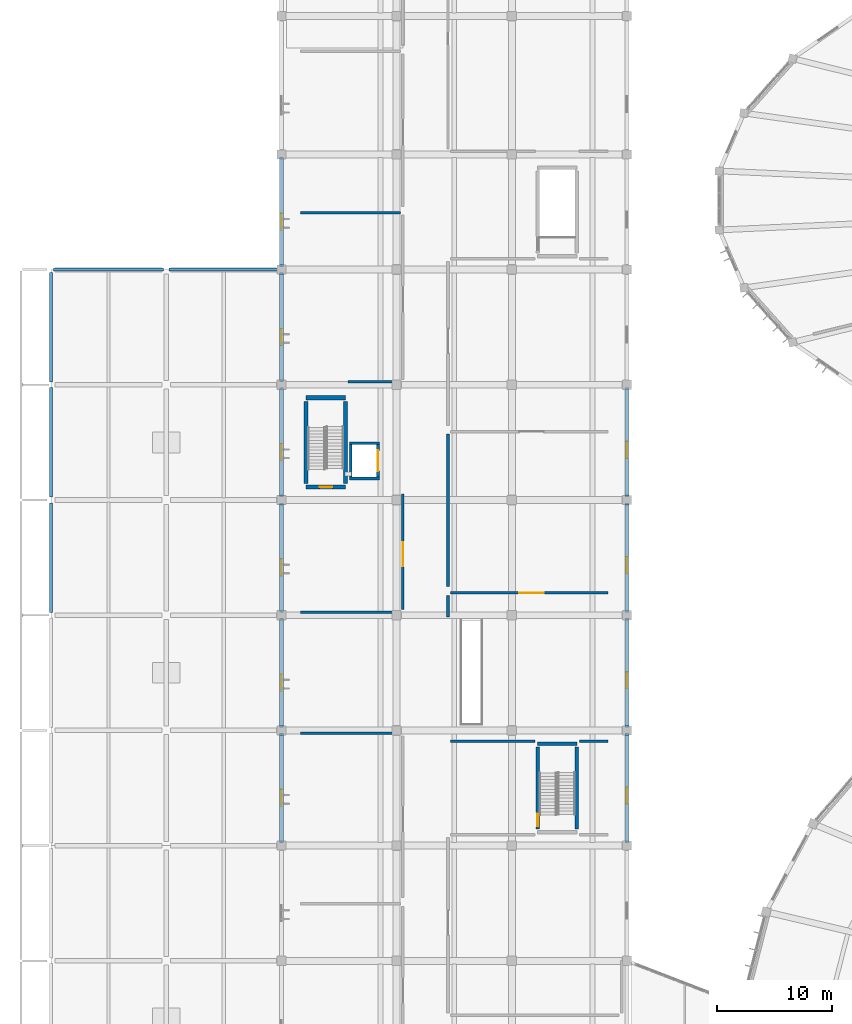
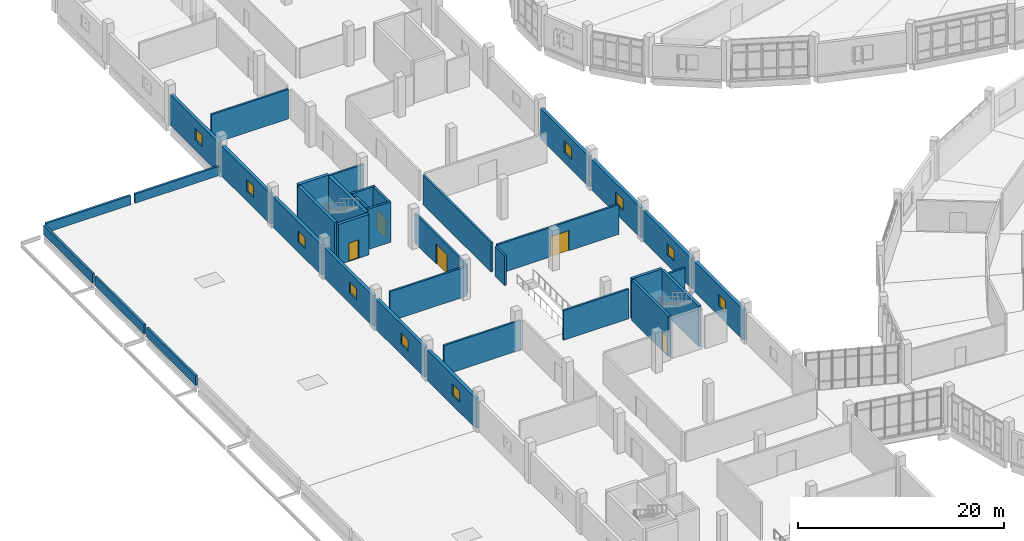
# One storey, part 118 of 179: 36 walls, 10 windows, 5 doors, 15 openings.
"""IFC4 building model written with IfcOpenShell, lengths in metres."""

from ifc_helpers import new_model, si_unit, direction, frame, frame_2d, origin, place, context, subcontext, project, spatial, rectangle, extrude, material, layer, layer_set, type_object, element, fill, save


model = new_model("IFC4")

# Units and contexts
model_context = context("Model", 3, precision=1e-05, world=origin(), true_north=direction((0.0, 1.0)))
body_context = subcontext(model_context, "Body", "Model", "MODEL_VIEW")
ifc_project = project(units=[si_unit("LENGTHUNIT", "METRE"), si_unit("AREAUNIT", "SQUARE_METRE"), si_unit("VOLUMEUNIT", "CUBIC_METRE"), si_unit("PLANEANGLEUNIT", "RADIAN"), si_unit("MASSUNIT", "GRAM", prefix="KILO")], contexts=[model_context])

# Site, building, storey
site_placement = place(None, origin())
site = spatial("IfcSite", under=ifc_project, at=site_placement, CompositionType="ELEMENT")
building_placement = place(site_placement, origin())
building = spatial("IfcBuilding", under=site, at=building_placement, Name="Corvandel Quay Wholesale Market", CompositionType="ELEMENT")
storey_placement = place(building_placement, frame((0.0, 0.0, 6.0)))
storey = spatial("IfcBuildingStorey", under=building, at=storey_placement, Name="L01", CompositionType="ELEMENT", Elevation=6.0)

# Wall, opening, door
ifc_material_1 = material(Name="Concrete C40/50", Category="concrete")
ifc_layer_1 = layer(ifc_material_1, 0.35009765625)
ifc_layer_set_1 = layer_set([ifc_layer_1], Name="Concrete C40/50")
wall_type_1 = type_object("IfcWallType", Name="Core Shear Wall SW01 350", PredefinedType="SHEAR", material=ifc_layer_set_1)
wall_1_placement = place(storey_placement, frame((22.125, 91.125, 0.0), z_axis=(0.0, 0.0, 1.0), x_axis=(1.0, 0.0, 0.0)))
wall_1 = element("IfcWall", 1, at=wall_1_placement, inside=storey, type_object=wall_type_1, Name="Shear Wall IW-0125", PredefinedType="SHEAR", context=body_context, shape_type="SweptSolid", body=[
    extrude(rectangle(XDim=3.449951171875, YDim=0.35009765625, at=frame_2d((1.72509765625, 0.0))), origin(), (0.0, 0.0, 1.0), 4.800048828125),
])
opening_1_placement = place(wall_1_placement, frame((1.199951171875, 0.0, 0.0)))
opening_1 = element("IfcOpeningElement", 2, at=opening_1_placement, cuts=wall_1, Name="Opening L01-D013", PredefinedType="OPENING", context=body_context, shape_type="SweptSolid", body=[
    extrude(rectangle(XDim=1.10009765625, YDim=2.199951171875, at=frame_2d((0.550048828125, 1.10009765625))), frame((0.0, 0.18505859375, 0.0), z_axis=(0.0, -1.0, 0.0), x_axis=(1.0, 0.0, 0.0)), (0.0, 0.0, 1.0), 0.3701171875),
])
ifc_material_2 = material(Name="Galvanised fire-rated hollow steel", Category="steel")
door_type_1 = type_object("IfcDoorType", Name="Exit Stair Fire Door ID02 1100x2200R", OperationType="SINGLE_SWING_RIGHT", PredefinedType="DOOR", material=ifc_material_2)
door_1_placement = place(opening_1_placement, origin())
door_1 = element("IfcDoor", 3, at=door_1_placement, inside=storey, type_object=door_type_1, Name="Exit Stair Door SH12-L01", OperationType="SINGLE_SWING_RIGHT", OverallHeight=2.199951171875, OverallWidth=1.10009765625, PredefinedType="DOOR", context=body_context, shape_type="SweptSolid", body=[
    extrude(rectangle(XDim=1.10009765625, YDim=2.199951171875, at=frame_2d((0.550048828125, 1.10009765625))), frame((0.0, 0.02490234375, 0.0), z_axis=(0.0, -1.0, 0.0), x_axis=(1.0, 0.0, 0.0)), (0.0, 0.0, 1.0), 0.050048828125),
])
fill(opening_1, door_1)

# Walls
wall_2_placement = place(storey_placement, frame((22.125, 98.875, 0.0), z_axis=(0.0, 0.0, 1.0), x_axis=(1.0, 0.0, 0.0)))
element("IfcWall", 4, at=wall_2_placement, inside=storey, type_object=wall_type_1, Name="Shear Wall IW-0126", PredefinedType="SHEAR", context=body_context, shape_type="SweptSolid", body=[
    extrude(rectangle(XDim=3.449951171875, YDim=0.35009765625, at=frame_2d((1.72509765625, 0.0))), origin(), (0.0, 0.0, 1.0), 4.800048828125),
])
for number, where, z_axis, x_axis, name in (
    (5, (22.125, 91.43994140625, 0.0), (0.0, 0.0, 1.0), (0.0, 1.0, 0.0), "Shear Wall IW-0127"),
    (6, (25.574951171875, 91.43994140625, 0.0), (0.0, 0.0, 1.0), (0.0, 1.0, 0.0), "Shear Wall IW-0128"),
):
    element("IfcWall", number, at=place(storey_placement, frame(where, z_axis=z_axis, x_axis=x_axis)), inside=storey, type_object=wall_type_1, Name=name, PredefinedType="SHEAR", context=body_context, shape_type="SweptSolid", body=[
        extrude(rectangle(XDim=7.1201171875, YDim=0.35009765625, at=frame_2d((3.56005859375, 0.0))), origin(), (0.0, 0.0, 1.0), 4.800048828125),
    ])
ifc_layer_2 = layer(ifc_material_1, 0.25)
ifc_layer_set_2 = layer_set([ifc_layer_2], Name="Concrete C40/50")
wall_type_2 = type_object("IfcWallType", Name="Lift Shaft Shear Wall SW03 250", PredefinedType="SHEAR", material=ifc_layer_set_2)
for number, where, z_axis, x_axis, name in (
    (7, (25.89990234375, 91.875, 0.0), (0.0, 0.0, 1.0), (1.0, 0.0, 0.0), "Shear Wall IW-0313"),
    (8, (25.89990234375, 94.925048828125, 0.0), (0.0, 0.0, 1.0), (1.0, 0.0, 0.0), "Shear Wall IW-0314"),
):
    element("IfcWall", number, at=place(storey_placement, frame(where, z_axis=z_axis, x_axis=x_axis)), inside=storey, type_object=wall_type_2, Name=name, PredefinedType="SHEAR", context=body_context, shape_type="SweptSolid", body=[
        extrude(rectangle(XDim=2.60009765625, YDim=0.25, at=frame_2d((1.300048828125, 0.0))), origin(), (0.0, 0.0, 1.0), 4.800048828125),
    ])
wall_3_placement = place(storey_placement, frame((26.02490234375, 91.989990234375, 0.0), z_axis=(0.0, 0.0, 1.0), x_axis=(0.0, 1.0, 0.0)))
element("IfcWall", 9, at=wall_3_placement, inside=storey, type_object=wall_type_2, Name="Shear Wall IW-0315", PredefinedType="SHEAR", context=body_context, shape_type="SweptSolid", body=[
    extrude(rectangle(XDim=2.820068359375, YDim=0.25, at=frame_2d((1.41015625, 0.0))), origin(), (0.0, 0.0, 1.0), 4.800048828125),
])

# Wall, opening, door
wall_4_placement = place(storey_placement, frame((28.375, 91.989990234375, 0.0), z_axis=(0.0, 0.0, 1.0), x_axis=(0.0, 1.0, 0.0)))
wall_4 = element("IfcWall", 10, at=wall_4_placement, inside=storey, type_object=wall_type_2, Name="Shear Wall IW-0316", PredefinedType="SHEAR", context=body_context, shape_type="SweptSolid", body=[
    extrude(rectangle(XDim=2.820068359375, YDim=0.25, at=frame_2d((1.41015625, 0.0))), origin(), (0.0, 0.0, 1.0), 4.800048828125),
])
opening_2_placement = place(wall_4_placement, frame((0.510009765625, 0.0, 0.0)))
opening_2 = element("IfcOpeningElement", 11, at=opening_2_placement, cuts=wall_4, Name="Opening LD-L01-028", PredefinedType="OPENING", context=body_context, shape_type="SweptSolid", body=[
    extrude(rectangle(XDim=1.800048828125, YDim=2.39990234375, at=frame_2d((0.89990234375, 1.199951171875))), frame((0.0, 0.135009765625, 0.0), z_axis=(0.0, -1.0, 0.0), x_axis=(1.0, 0.0, 0.0)), (0.0, 0.0, 1.0), 0.27001953125),
])
ifc_material_3 = material(Name="Heavy-duty brushed stainless steel", Category="steel")
door_type_2 = type_object("IfcDoorType", Name="Goods Lift Landing Door LD02 1800x2400", OperationType="DOUBLE_DOOR_SLIDING", PredefinedType="DOOR", material=ifc_material_3)
door_2_placement = place(opening_2_placement, origin())
door_2 = element("IfcDoor", 12, at=door_2_placement, inside=storey, type_object=door_type_2, Name="Lift Landing Door LF-V4F2-L01", OperationType="DOUBLE_DOOR_SLIDING", OverallHeight=2.39990234375, OverallWidth=1.800048828125, PredefinedType="DOOR", context=body_context, shape_type="SweptSolid", body=[
    extrude(rectangle(XDim=1.800048828125, YDim=2.39990234375, at=frame_2d((0.89990234375, 1.199951171875))), frame((0.0, 0.02490234375, 0.0), z_axis=(0.0, -1.0, 0.0), x_axis=(1.0, 0.0, 0.0)), (0.0, 0.0, 1.0), 0.050048828125),
])
fill(opening_2, door_2)

# Wall, opening, window
ifc_material_4 = material(Name="Insulated precast concrete C45/55", Category="concrete")
ifc_layer_3 = layer(ifc_material_4, 0.360107421875)
ifc_layer_set_3 = layer_set([ifc_layer_3], Name="Insulated precast concrete C45/55")
wall_type_3 = type_object("IfcWallType", Name="Ripening Gas-Tight Envelope Wall EW04 360", PredefinedType="SOLIDWALL", material=ifc_layer_set_3)
wall_5_placement = place(storey_placement, frame((20.0, 60.239990234375, 0.0), z_axis=(0.0, 0.0, 1.0), x_axis=(0.0, 1.0, 0.0)))
wall_5 = element("IfcWall", 13, at=wall_5_placement, inside=storey, type_object=wall_type_3, Name="Exterior Wall EW-0255", PredefinedType="SOLIDWALL", context=body_context, shape_type="SweptSolid", body=[
    extrude(rectangle(XDim=9.52001953125, YDim=0.360107421875, at=frame_2d((4.760009765625, 0.0))), origin(), (0.0, 0.0, 1.0), 3.610107421875),
])
opening_3_placement = place(wall_5_placement, frame((3.199951171875, 0.0, 1.199951171875)))
opening_3 = element("IfcOpeningElement", 14, at=opening_3_placement, cuts=wall_5, Name="Opening L01-W060", PredefinedType="OPENING", context=body_context, shape_type="SweptSolid", body=[
    extrude(rectangle(XDim=1.39990234375, YDim=1.35009765625, at=frame_2d((0.699951171875, 0.675048828125))), frame((0.0, 0.18994140625, 0.0), z_axis=(0.0, -1.0, 0.0), x_axis=(1.0, 0.0, 0.0)), (0.0, 0.0, 1.0), 0.380126953125),
])
ifc_material_5 = material(Name="Thermally broken bronze anodised aluminium and solar-control low-E double glazing", Category="aluminium")
window_type = type_object("IfcWindowType", Name="Ripening Control Vision Window WN15 1400x1350", PartitioningType="SINGLE_PANEL", PredefinedType="WINDOW", material=ifc_material_5)
window_1_placement = place(opening_3_placement, origin())
window_1 = element("IfcWindow", 15, at=window_1_placement, inside=storey, type_object=window_type, Name="Window L01-W060", OverallHeight=1.35009765625, OverallWidth=1.39990234375, PartitioningType="SINGLE_PANEL", PredefinedType="WINDOW", context=body_context, shape_type="SweptSolid", body=[
    extrude(rectangle(XDim=1.39990234375, YDim=1.35009765625, at=frame_2d((0.699951171875, 0.675048828125))), frame((0.0, 0.030029296875, 0.0), z_axis=(0.0, -1.0, 0.0), x_axis=(1.0, 0.0, 0.0)), (0.0, 0.0, 1.0), 0.06005859375),
])
fill(opening_3, window_1)

wall_6_placement = place(storey_placement, frame((50.0, 60.239990234375, 0.0), z_axis=(0.0, 0.0, 1.0), x_axis=(0.0, 1.0, 0.0)))
wall_6 = element("IfcWall", 16, at=wall_6_placement, inside=storey, type_object=wall_type_3, Name="Exterior Wall EW-0259", PredefinedType="SOLIDWALL", context=body_context, shape_type="SweptSolid", body=[
    extrude(rectangle(XDim=9.52001953125, YDim=0.360107421875, at=frame_2d((4.760009765625, 0.0))), origin(), (0.0, 0.0, 1.0), 3.610107421875),
])
opening_4_placement = place(wall_6_placement, frame((3.39990234375, 0.0, 1.199951171875)))
opening_4 = element("IfcOpeningElement", 17, at=opening_4_placement, cuts=wall_6, Name="Opening L01-W061", PredefinedType="OPENING", context=body_context, shape_type="SweptSolid", body=[
    extrude(rectangle(XDim=1.39990234375, YDim=1.35009765625, at=frame_2d((0.699951171875, 0.675048828125))), frame((0.0, 0.18994140625, 0.0), z_axis=(0.0, -1.0, 0.0), x_axis=(1.0, 0.0, 0.0)), (0.0, 0.0, 1.0), 0.380126953125),
])
window_2_placement = place(opening_4_placement, origin())
window_2 = element("IfcWindow", 18, at=window_2_placement, inside=storey, type_object=window_type, Name="Window L01-W061", OverallHeight=1.35009765625, OverallWidth=1.39990234375, PartitioningType="SINGLE_PANEL", PredefinedType="WINDOW", context=body_context, shape_type="SweptSolid", body=[
    extrude(rectangle(XDim=1.39990234375, YDim=1.35009765625, at=frame_2d((0.699951171875, 0.675048828125))), frame((0.0, 0.030029296875, 0.0), z_axis=(0.0, -1.0, 0.0), x_axis=(1.0, 0.0, 0.0)), (0.0, 0.0, 1.0), 0.06005859375),
])
fill(opening_4, window_2)

wall_7_placement = place(storey_placement, frame((20.0, 70.239990234375, 0.0), z_axis=(0.0, 0.0, 1.0), x_axis=(0.0, 1.0, 0.0)))
wall_7 = element("IfcWall", 19, at=wall_7_placement, inside=storey, type_object=wall_type_3, Name="Exterior Wall EW-0262", PredefinedType="SOLIDWALL", context=body_context, shape_type="SweptSolid", body=[
    extrude(rectangle(XDim=9.52001953125, YDim=0.360107421875, at=frame_2d((4.760009765625, 0.0))), origin(), (0.0, 0.0, 1.0), 3.610107421875),
])
opening_5_placement = place(wall_7_placement, frame((3.199951171875, 0.0, 1.199951171875)))
opening_5 = element("IfcOpeningElement", 20, at=opening_5_placement, cuts=wall_7, Name="Opening L01-W062", PredefinedType="OPENING", context=body_context, shape_type="SweptSolid", body=[
    extrude(rectangle(XDim=1.39990234375, YDim=1.35009765625, at=frame_2d((0.699951171875, 0.675048828125))), frame((0.0, 0.18994140625, 0.0), z_axis=(0.0, -1.0, 0.0), x_axis=(1.0, 0.0, 0.0)), (0.0, 0.0, 1.0), 0.380126953125),
])
window_3_placement = place(opening_5_placement, origin())
window_3 = element("IfcWindow", 21, at=window_3_placement, inside=storey, type_object=window_type, Name="Window L01-W062", OverallHeight=1.35009765625, OverallWidth=1.39990234375, PartitioningType="SINGLE_PANEL", PredefinedType="WINDOW", context=body_context, shape_type="SweptSolid", body=[
    extrude(rectangle(XDim=1.39990234375, YDim=1.35009765625, at=frame_2d((0.699951171875, 0.675048828125))), frame((0.0, 0.030029296875, 0.0), z_axis=(0.0, -1.0, 0.0), x_axis=(1.0, 0.0, 0.0)), (0.0, 0.0, 1.0), 0.06005859375),
])
fill(opening_5, window_3)

wall_8_placement = place(storey_placement, frame((50.0, 70.239990234375, 0.0), z_axis=(0.0, 0.0, 1.0), x_axis=(0.0, 1.0, 0.0)))
wall_8 = element("IfcWall", 22, at=wall_8_placement, inside=storey, type_object=wall_type_3, Name="Exterior Wall EW-0266", PredefinedType="SOLIDWALL", context=body_context, shape_type="SweptSolid", body=[
    extrude(rectangle(XDim=9.52001953125, YDim=0.360107421875, at=frame_2d((4.760009765625, 0.0))), origin(), (0.0, 0.0, 1.0), 3.610107421875),
])
opening_6_placement = place(wall_8_placement, frame((3.39990234375, 0.0, 1.199951171875)))
opening_6 = element("IfcOpeningElement", 23, at=opening_6_placement, cuts=wall_8, Name="Opening L01-W063", PredefinedType="OPENING", context=body_context, shape_type="SweptSolid", body=[
    extrude(rectangle(XDim=1.39990234375, YDim=1.35009765625, at=frame_2d((0.699951171875, 0.675048828125))), frame((0.0, 0.18994140625, 0.0), z_axis=(0.0, -1.0, 0.0), x_axis=(1.0, 0.0, 0.0)), (0.0, 0.0, 1.0), 0.380126953125),
])
window_4_placement = place(opening_6_placement, origin())
window_4 = element("IfcWindow", 24, at=window_4_placement, inside=storey, type_object=window_type, Name="Window L01-W063", OverallHeight=1.35009765625, OverallWidth=1.39990234375, PartitioningType="SINGLE_PANEL", PredefinedType="WINDOW", context=body_context, shape_type="SweptSolid", body=[
    extrude(rectangle(XDim=1.39990234375, YDim=1.35009765625, at=frame_2d((0.699951171875, 0.675048828125))), frame((0.0, 0.030029296875, 0.0), z_axis=(0.0, -1.0, 0.0), x_axis=(1.0, 0.0, 0.0)), (0.0, 0.0, 1.0), 0.06005859375),
])
fill(opening_6, window_4)

wall_9_placement = place(storey_placement, frame((20.0, 80.239990234375, 0.0), z_axis=(0.0, 0.0, 1.0), x_axis=(0.0, 1.0, 0.0)))
wall_9 = element("IfcWall", 25, at=wall_9_placement, inside=storey, type_object=wall_type_3, Name="Exterior Wall EW-0269", PredefinedType="SOLIDWALL", context=body_context, shape_type="SweptSolid", body=[
    extrude(rectangle(XDim=9.52001953125, YDim=0.360107421875, at=frame_2d((4.760009765625, 0.0))), origin(), (0.0, 0.0, 1.0), 3.610107421875),
])
opening_7_placement = place(wall_9_placement, frame((3.199951171875, 0.0, 1.199951171875)))
opening_7 = element("IfcOpeningElement", 26, at=opening_7_placement, cuts=wall_9, Name="Opening L01-W064", PredefinedType="OPENING", context=body_context, shape_type="SweptSolid", body=[
    extrude(rectangle(XDim=1.39990234375, YDim=1.35009765625, at=frame_2d((0.699951171875, 0.675048828125))), frame((0.0, 0.18994140625, 0.0), z_axis=(0.0, -1.0, 0.0), x_axis=(1.0, 0.0, 0.0)), (0.0, 0.0, 1.0), 0.380126953125),
])
window_5_placement = place(opening_7_placement, origin())
window_5 = element("IfcWindow", 27, at=window_5_placement, inside=storey, type_object=window_type, Name="Window L01-W064", OverallHeight=1.35009765625, OverallWidth=1.39990234375, PartitioningType="SINGLE_PANEL", PredefinedType="WINDOW", context=body_context, shape_type="SweptSolid", body=[
    extrude(rectangle(XDim=1.39990234375, YDim=1.35009765625, at=frame_2d((0.699951171875, 0.675048828125))), frame((0.0, 0.030029296875, 0.0), z_axis=(0.0, -1.0, 0.0), x_axis=(1.0, 0.0, 0.0)), (0.0, 0.0, 1.0), 0.06005859375),
])
fill(opening_7, window_5)

wall_10_placement = place(storey_placement, frame((50.0, 80.239990234375, 0.0), z_axis=(0.0, 0.0, 1.0), x_axis=(0.0, 1.0, 0.0)))
wall_10 = element("IfcWall", 28, at=wall_10_placement, inside=storey, type_object=wall_type_3, Name="Exterior Wall EW-0273", PredefinedType="SOLIDWALL", context=body_context, shape_type="SweptSolid", body=[
    extrude(rectangle(XDim=9.52001953125, YDim=0.360107421875, at=frame_2d((4.760009765625, 0.0))), origin(), (0.0, 0.0, 1.0), 3.610107421875),
])
opening_8_placement = place(wall_10_placement, frame((3.39990234375, 0.0, 1.199951171875)))
opening_8 = element("IfcOpeningElement", 29, at=opening_8_placement, cuts=wall_10, Name="Opening L01-W065", PredefinedType="OPENING", context=body_context, shape_type="SweptSolid", body=[
    extrude(rectangle(XDim=1.39990234375, YDim=1.35009765625, at=frame_2d((0.699951171875, 0.675048828125))), frame((0.0, 0.18994140625, 0.0), z_axis=(0.0, -1.0, 0.0), x_axis=(1.0, 0.0, 0.0)), (0.0, 0.0, 1.0), 0.380126953125),
])
window_6_placement = place(opening_8_placement, origin())
window_6 = element("IfcWindow", 30, at=window_6_placement, inside=storey, type_object=window_type, Name="Window L01-W065", OverallHeight=1.35009765625, OverallWidth=1.39990234375, PartitioningType="SINGLE_PANEL", PredefinedType="WINDOW", context=body_context, shape_type="SweptSolid", body=[
    extrude(rectangle(XDim=1.39990234375, YDim=1.35009765625, at=frame_2d((0.699951171875, 0.675048828125))), frame((0.0, 0.030029296875, 0.0), z_axis=(0.0, -1.0, 0.0), x_axis=(1.0, 0.0, 0.0)), (0.0, 0.0, 1.0), 0.06005859375),
])
fill(opening_8, window_6)

wall_11_placement = place(storey_placement, frame((20.0, 90.239990234375, 0.0), z_axis=(0.0, 0.0, 1.0), x_axis=(0.0, 1.0, 0.0)))
wall_11 = element("IfcWall", 31, at=wall_11_placement, inside=storey, type_object=wall_type_3, Name="Exterior Wall EW-0276", PredefinedType="SOLIDWALL", context=body_context, shape_type="SweptSolid", body=[
    extrude(rectangle(XDim=9.52001953125, YDim=0.360107421875, at=frame_2d((4.760009765625, 0.0))), origin(), (0.0, 0.0, 1.0), 3.610107421875),
])
opening_9_placement = place(wall_11_placement, frame((3.199951171875, 0.0, 1.199951171875)))
opening_9 = element("IfcOpeningElement", 32, at=opening_9_placement, cuts=wall_11, Name="Opening L01-W066", PredefinedType="OPENING", context=body_context, shape_type="SweptSolid", body=[
    extrude(rectangle(XDim=1.39990234375, YDim=1.35009765625, at=frame_2d((0.699951171875, 0.675048828125))), frame((0.0, 0.18994140625, 0.0), z_axis=(0.0, -1.0, 0.0), x_axis=(1.0, 0.0, 0.0)), (0.0, 0.0, 1.0), 0.380126953125),
])
window_7_placement = place(opening_9_placement, origin())
window_7 = element("IfcWindow", 33, at=window_7_placement, inside=storey, type_object=window_type, Name="Window L01-W066", OverallHeight=1.35009765625, OverallWidth=1.39990234375, PartitioningType="SINGLE_PANEL", PredefinedType="WINDOW", context=body_context, shape_type="SweptSolid", body=[
    extrude(rectangle(XDim=1.39990234375, YDim=1.35009765625, at=frame_2d((0.699951171875, 0.675048828125))), frame((0.0, 0.030029296875, 0.0), z_axis=(0.0, -1.0, 0.0), x_axis=(1.0, 0.0, 0.0)), (0.0, 0.0, 1.0), 0.06005859375),
])
fill(opening_9, window_7)

wall_12_placement = place(storey_placement, frame((50.0, 90.239990234375, 0.0), z_axis=(0.0, 0.0, 1.0), x_axis=(0.0, 1.0, 0.0)))
wall_12 = element("IfcWall", 34, at=wall_12_placement, inside=storey, type_object=wall_type_3, Name="Exterior Wall EW-0280", PredefinedType="SOLIDWALL", context=body_context, shape_type="SweptSolid", body=[
    extrude(rectangle(XDim=9.52001953125, YDim=0.360107421875, at=frame_2d((4.760009765625, 0.0))), origin(), (0.0, 0.0, 1.0), 3.610107421875),
])
opening_10_placement = place(wall_12_placement, frame((3.39990234375, 0.0, 1.199951171875)))
opening_10 = element("IfcOpeningElement", 35, at=opening_10_placement, cuts=wall_12, Name="Opening L01-W067", PredefinedType="OPENING", context=body_context, shape_type="SweptSolid", body=[
    extrude(rectangle(XDim=1.39990234375, YDim=1.35009765625, at=frame_2d((0.699951171875, 0.675048828125))), frame((0.0, 0.18994140625, 0.0), z_axis=(0.0, -1.0, 0.0), x_axis=(1.0, 0.0, 0.0)), (0.0, 0.0, 1.0), 0.380126953125),
])
window_8_placement = place(opening_10_placement, origin())
window_8 = element("IfcWindow", 36, at=window_8_placement, inside=storey, type_object=window_type, Name="Window L01-W067", OverallHeight=1.35009765625, OverallWidth=1.39990234375, PartitioningType="SINGLE_PANEL", PredefinedType="WINDOW", context=body_context, shape_type="SweptSolid", body=[
    extrude(rectangle(XDim=1.39990234375, YDim=1.35009765625, at=frame_2d((0.699951171875, 0.675048828125))), frame((0.0, 0.030029296875, 0.0), z_axis=(0.0, -1.0, 0.0), x_axis=(1.0, 0.0, 0.0)), (0.0, 0.0, 1.0), 0.06005859375),
])
fill(opening_10, window_8)

wall_13_placement = place(storey_placement, frame((20.0, 100.239990234375, 0.0), z_axis=(0.0, 0.0, 1.0), x_axis=(0.0, 1.0, 0.0)))
wall_13 = element("IfcWall", 37, at=wall_13_placement, inside=storey, type_object=wall_type_3, Name="Exterior Wall EW-0283", PredefinedType="SOLIDWALL", context=body_context, shape_type="SweptSolid", body=[
    extrude(rectangle(XDim=9.52001953125, YDim=0.360107421875, at=frame_2d((4.760009765625, 0.0))), origin(), (0.0, 0.0, 1.0), 3.610107421875),
])
opening_11_placement = place(wall_13_placement, frame((3.199951171875, 0.0, 1.199951171875)))
opening_11 = element("IfcOpeningElement", 38, at=opening_11_placement, cuts=wall_13, Name="Opening L01-W068", PredefinedType="OPENING", context=body_context, shape_type="SweptSolid", body=[
    extrude(rectangle(XDim=1.39990234375, YDim=1.35009765625, at=frame_2d((0.699951171875, 0.675048828125))), frame((0.0, 0.18994140625, 0.0), z_axis=(0.0, -1.0, 0.0), x_axis=(1.0, 0.0, 0.0)), (0.0, 0.0, 1.0), 0.380126953125),
])
window_9_placement = place(opening_11_placement, origin())
window_9 = element("IfcWindow", 39, at=window_9_placement, inside=storey, type_object=window_type, Name="Window L01-W068", OverallHeight=1.35009765625, OverallWidth=1.39990234375, PartitioningType="SINGLE_PANEL", PredefinedType="WINDOW", context=body_context, shape_type="SweptSolid", body=[
    extrude(rectangle(XDim=1.39990234375, YDim=1.35009765625, at=frame_2d((0.699951171875, 0.675048828125))), frame((0.0, 0.030029296875, 0.0), z_axis=(0.0, -1.0, 0.0), x_axis=(1.0, 0.0, 0.0)), (0.0, 0.0, 1.0), 0.06005859375),
])
fill(opening_11, window_9)

wall_14_placement = place(storey_placement, frame((20.0, 110.239990234375, 0.0), z_axis=(0.0, 0.0, 1.0), x_axis=(0.0, 1.0, 0.0)))
wall_14 = element("IfcWall", 40, at=wall_14_placement, inside=storey, type_object=wall_type_3, Name="Exterior Wall EW-0291", PredefinedType="SOLIDWALL", context=body_context, shape_type="SweptSolid", body=[
    extrude(rectangle(XDim=9.52001953125, YDim=0.360107421875, at=frame_2d((4.760009765625, 0.0))), origin(), (0.0, 0.0, 1.0), 3.610107421875),
])
opening_12_placement = place(wall_14_placement, frame((3.199951171875, 0.0, 1.199951171875)))
opening_12 = element("IfcOpeningElement", 41, at=opening_12_placement, cuts=wall_14, Name="Opening L01-W070", PredefinedType="OPENING", context=body_context, shape_type="SweptSolid", body=[
    extrude(rectangle(XDim=1.39990234375, YDim=1.35009765625, at=frame_2d((0.699951171875, 0.675048828125))), frame((0.0, 0.18994140625, 0.0), z_axis=(0.0, -1.0, 0.0), x_axis=(1.0, 0.0, 0.0)), (0.0, 0.0, 1.0), 0.380126953125),
])
window_10_placement = place(opening_12_placement, origin())
window_10 = element("IfcWindow", 42, at=window_10_placement, inside=storey, type_object=window_type, Name="Window L01-W070", OverallHeight=1.35009765625, OverallWidth=1.39990234375, PartitioningType="SINGLE_PANEL", PredefinedType="WINDOW", context=body_context, shape_type="SweptSolid", body=[
    extrude(rectangle(XDim=1.39990234375, YDim=1.35009765625, at=frame_2d((0.699951171875, 0.675048828125))), frame((0.0, 0.030029296875, 0.0), z_axis=(0.0, -1.0, 0.0), x_axis=(1.0, 0.0, 0.0)), (0.0, 0.0, 1.0), 0.06005859375),
])
fill(opening_12, window_10)

# Wall
ifc_material_6 = material(Name="Gas-tight stainless insulated panel")
ifc_layer_4 = layer(ifc_material_6, 0.219970703125)
ifc_layer_set_4 = layer_set([ifc_layer_4], Name="Gas-tight stainless insulated panel")
wall_type_4 = type_object("IfcWallType", Name="Ripening Gas-Tight Partition PT04 220", PredefinedType="PARTITIONING", material=ifc_layer_set_4)
wall_15_placement = place(storey_placement, frame((21.669921875, 69.739990234375, 0.0), z_axis=(0.0, 0.0, 1.0), x_axis=(1.0, 0.0, 0.0)))
element("IfcWall", 43, at=wall_15_placement, inside=storey, type_object=wall_type_4, Name="Interior Wall IW-0800", PredefinedType="PARTITIONING", context=body_context, shape_type="SweptSolid", body=[
    extrude(rectangle(XDim=8.650146484375, YDim=0.219970703125, at=frame_2d((4.3251953125, 0.0))), origin(), (0.0, 0.0, 1.0), 3.510009765625),
])

# Wall, opening, door
wall_16_placement = place(storey_placement, frame((30.5400390625, 90.52001953125, 0.0), z_axis=(0.0, 0.0, 1.0), x_axis=(0.0, -1.0, 0.0)))
wall_16 = element("IfcWall", 44, at=wall_16_placement, inside=storey, type_object=wall_type_4, Name="Interior Wall IW-0802", PredefinedType="PARTITIONING", context=body_context, shape_type="SweptSolid", body=[
    extrude(rectangle(XDim=10.0400390625, YDim=0.219970703125, at=frame_2d((5.02001953125, 0.0))), origin(), (0.0, 0.0, 1.0), 3.510009765625),
])
opening_13_placement = place(wall_16_placement, frame((4.169921875, 0.0, 0.0)))
opening_13 = element("IfcOpeningElement", 45, at=opening_13_placement, cuts=wall_16, Name="Opening L01-D055", PredefinedType="OPENING", context=body_context, shape_type="SweptSolid", body=[
    extrude(rectangle(XDim=2.10009765625, YDim=2.39990234375, at=frame_2d((1.050048828125, 1.199951171875))), frame((0.0, 0.119873046875, 0.0), z_axis=(0.0, -1.0, 0.0), x_axis=(1.0, 0.0, 0.0)), (0.0, 0.0, 1.0), 0.239990234375),
])
ifc_material_7 = material(Name="Gas-tight stainless insulated leaf")
door_type_3 = type_object("IfcDoorType", Name="Ripening Gas-Tight Door ID07 2100x2400", OperationType="DOUBLE_DOOR_SLIDING", PredefinedType="DOOR", material=ifc_material_7)
door_3_placement = place(opening_13_placement, origin())
door_3 = element("IfcDoor", 46, at=door_3_placement, inside=storey, type_object=door_type_3, Name="Pressurized Fruit Ripening Room 04 Door", OperationType="DOUBLE_DOOR_SLIDING", OverallHeight=2.39990234375, OverallWidth=2.10009765625, PredefinedType="DOOR", context=body_context, shape_type="SweptSolid", body=[
    extrude(rectangle(XDim=2.10009765625, YDim=2.39990234375, at=frame_2d((1.050048828125, 1.199951171875))), frame((0.0, 0.02490234375, 0.0), z_axis=(0.0, -1.0, 0.0), x_axis=(1.0, 0.0, 0.0)), (0.0, 0.0, 1.0), 0.050048828125),
])
fill(opening_13, door_3)

# Walls
for number, where, z_axis, x_axis, name in (
    (47, (30.320068359375, 80.260009765625, 0.0), (0.0, 0.0, 1.0), (-1.0, 0.0, 0.0), "Interior Wall IW-0803"),
    (48, (21.669921875, 114.93994140625, 0.0), (0.0, 0.0, 1.0), (1.0, 0.0, 0.0), "Interior Wall IW-0804"),
):
    element("IfcWall", number, at=place(storey_placement, frame(where, z_axis=z_axis, x_axis=x_axis)), inside=storey, type_object=wall_type_4, Name=name, PredefinedType="PARTITIONING", context=body_context, shape_type="SweptSolid", body=[
        extrude(rectangle(XDim=8.650146484375, YDim=0.219970703125, at=frame_2d((4.3251953125, 0.0))), origin(), (0.0, 0.0, 1.0), 3.510009765625),
    ])
wall_17_placement = place(storey_placement, frame((30.320068359375, 100.260009765625, 0.0), z_axis=(0.0, 0.0, 1.0), x_axis=(-1.0, 0.0, 0.0)))
element("IfcWall", 49, at=wall_17_placement, inside=storey, type_object=wall_type_4, Name="Interior Wall IW-0806", PredefinedType="PARTITIONING", context=body_context, shape_type="SweptSolid", body=[
    extrude(rectangle(XDim=4.525146484375, YDim=0.219970703125, at=frame_2d((2.2626953125, 0.0))), origin(), (0.0, 0.0, 1.0), 3.510009765625),
])
wall_18_placement = place(storey_placement, frame((34.4599609375, 79.84619140625, 0.0), z_axis=(0.0, 0.0, 1.0), x_axis=(0.0, 1.0, 0.0)))
element("IfcWall", 50, at=wall_18_placement, inside=storey, type_object=wall_type_4, Name="Interior Wall IW-0820", PredefinedType="PARTITIONING", context=body_context, shape_type="SweptSolid", body=[
    extrude(rectangle(XDim=1.873779296875, YDim=0.219970703125, at=frame_2d((0.93701171875, 0.0))), origin(), (0.0, 0.0, 1.0), 3.510009765625),
])

# Wall, opening, door
wall_19_placement = place(storey_placement, frame((34.679931640625, 81.93994140625, 0.0), z_axis=(0.0, 0.0, 1.0), x_axis=(1.0, 0.0, 0.0)))
wall_19 = element("IfcWall", 51, at=wall_19_placement, inside=storey, type_object=wall_type_4, Name="Interior Wall IW-0821", PredefinedType="PARTITIONING", context=body_context, shape_type="SweptSolid", body=[
    extrude(rectangle(XDim=13.650146484375, YDim=0.219970703125, at=frame_2d((6.8251953125, 0.0))), origin(), (0.0, 0.0, 1.0), 3.510009765625),
])
opening_14_placement = place(wall_19_placement, frame((5.97509765625, 0.0, 0.0)))
opening_14 = element("IfcOpeningElement", 52, at=opening_14_placement, cuts=wall_19, Name="Opening L01-D061", PredefinedType="OPENING", context=body_context, shape_type="SweptSolid", body=[
    extrude(rectangle(XDim=2.10009765625, YDim=2.39990234375, at=frame_2d((1.050048828125, 1.199951171875))), frame((0.0, 0.119873046875, 0.0), z_axis=(0.0, -1.0, 0.0), x_axis=(1.0, 0.0, 0.0)), (0.0, 0.0, 1.0), 0.239990234375),
])
door_4_placement = place(opening_14_placement, origin())
door_4 = element("IfcDoor", 53, at=door_4_placement, inside=storey, type_object=door_type_3, Name="Pressurized Fruit Ripening Room 10 Door", OperationType="DOUBLE_DOOR_SLIDING", OverallHeight=2.39990234375, OverallWidth=2.10009765625, PredefinedType="DOOR", context=body_context, shape_type="SweptSolid", body=[
    extrude(rectangle(XDim=2.10009765625, YDim=2.39990234375, at=frame_2d((1.050048828125, 1.199951171875))), frame((0.0, 0.02490234375, 0.0), z_axis=(0.0, -1.0, 0.0), x_axis=(1.0, 0.0, 0.0)), (0.0, 0.0, 1.0), 0.050048828125),
])
fill(opening_14, door_4)

# Walls
wall_20_placement = place(storey_placement, frame((48.330078125, 69.06005859375, 0.0), z_axis=(0.0, 0.0, 1.0), x_axis=(-1.0, 0.0, 0.0)))
element("IfcWall", 54, at=wall_20_placement, inside=storey, type_object=wall_type_4, Name="Interior Wall IW-0822", PredefinedType="PARTITIONING", context=body_context, shape_type="SweptSolid", body=[
    extrude(rectangle(XDim=2.4599609375, YDim=0.219970703125, at=frame_2d((1.22998046875, 0.0))), origin(), (0.0, 0.0, 1.0), 3.81005859375),
])
wall_21_placement = place(storey_placement, frame((42.030029296875, 69.06005859375, 0.0), z_axis=(0.0, 0.0, 1.0), x_axis=(-1.0, 0.0, 0.0)))
element("IfcWall", 55, at=wall_21_placement, inside=storey, type_object=wall_type_4, Name="Interior Wall IW-0823", PredefinedType="PARTITIONING", context=body_context, shape_type="SweptSolid", body=[
    extrude(rectangle(XDim=7.35009765625, YDim=0.219970703125, at=frame_2d((3.675048828125, 0.0))), origin(), (0.0, 0.0, 1.0), 3.510009765625),
])
wall_22_placement = place(storey_placement, frame((34.4599609375, 82.47998046875, 0.0), z_axis=(0.0, 0.0, 1.0), x_axis=(0.0, 1.0, 0.0)))
element("IfcWall", 56, at=wall_22_placement, inside=storey, type_object=wall_type_4, Name="Interior Wall IW-0824", PredefinedType="PARTITIONING", context=body_context, shape_type="SweptSolid", body=[
    extrude(rectangle(XDim=13.239990234375, YDim=0.219970703125, at=frame_2d((6.6201171875, 0.0))), origin(), (0.0, 0.0, 1.0), 3.510009765625),
])
ifc_material_8 = material(Name="White precast concrete C45/55", Category="concrete")
ifc_layer_5 = layer(ifc_material_8, 0.239990234375)
ifc_layer_set_5 = layer_set([ifc_layer_5], Name="White precast concrete C45/55")
wall_type_5 = type_object("IfcWallType", Name="Roof Precast Parapet Wall PP01 240", PredefinedType="PARAPET", material=ifc_layer_set_5)
for number, where, z_axis, x_axis, name in (
    (57, (0.0, 80.239990234375, 0.0), (0.0, 0.0, 1.0), (0.0, 1.0, 0.0), "Exterior Wall EW-0213"),
    (58, (0.0, 90.239990234375, 0.0), (0.0, 0.0, 1.0), (0.0, 1.0, 0.0), "Exterior Wall EW-0215"),
    (59, (0.0, 100.239990234375, 0.0), (0.0, 0.0, 1.0), (0.0, 1.0, 0.0), "Exterior Wall EW-0217"),
    (60, (0.239990234375, 110.0, 0.0), (0.0, 0.0, 1.0), (1.0, 0.0, 0.0), "Exterior Wall EW-0223"),
    (61, (10.239990234375, 110.0, 0.0), (0.0, 0.0, 1.0), (1.0, 0.0, 0.0), "Exterior Wall EW-0225"),
):
    element("IfcWall", number, at=place(storey_placement, frame(where, z_axis=z_axis, x_axis=x_axis)), inside=storey, type_object=wall_type_5, Name=name, PredefinedType="PARAPET", context=body_context, shape_type="SweptSolid", body=[
        extrude(rectangle(XDim=9.52001953125, YDim=0.239990234375, at=frame_2d((4.760009765625, 0.0))), origin(), (0.0, 0.0, 1.0), 1.10009765625),
    ])
ifc_layer_6 = layer(ifc_material_1, 0.300048828125)
ifc_layer_set_6 = layer_set([ifc_layer_6], Name="Concrete C40/50")
wall_type_6 = type_object("IfcWallType", Name="Stair Shaft Shear Wall SW02 300", PredefinedType="SHEAR", material=ifc_layer_set_6)
wall_23_placement = place(storey_placement, frame((42.25, 68.85009765625, 0.0), z_axis=(0.0, 0.0, 1.0), x_axis=(1.0, 0.0, 0.0)))
element("IfcWall", 62, at=wall_23_placement, inside=storey, type_object=wall_type_6, Name="Shear Wall IW-0138", PredefinedType="SHEAR", context=body_context, shape_type="SweptSolid", body=[
    extrude(rectangle(XDim=3.39990234375, YDim=0.300048828125, at=frame_2d((1.699951171875, 0.0))), origin(), (0.0, 0.0, 1.0), 4.800048828125),
])

# Wall, opening, door
wall_24_placement = place(storey_placement, frame((42.25, 61.43994140625, 0.0), z_axis=(0.0, 0.0, 1.0), x_axis=(0.0, 1.0, 0.0)))
wall_24 = element("IfcWall", 63, at=wall_24_placement, inside=storey, type_object=wall_type_6, Name="Shear Wall IW-0139", PredefinedType="SHEAR", context=body_context, shape_type="SweptSolid", body=[
    extrude(rectangle(XDim=7.1201171875, YDim=0.300048828125, at=frame_2d((3.56005859375, 0.0))), origin(), (0.0, 0.0, 1.0), 4.800048828125),
])
opening_15_placement = place(wall_24_placement, frame((0.219970703125, 0.0, 0.0)))
opening_15 = element("IfcOpeningElement", 64, at=opening_15_placement, cuts=wall_24, Name="Opening L01-D014", PredefinedType="OPENING", context=body_context, shape_type="SweptSolid", body=[
    extrude(rectangle(XDim=1.10009765625, YDim=2.199951171875, at=frame_2d((0.550048828125, 1.10009765625))), frame((0.0, 0.159912109375, 0.0), z_axis=(0.0, -1.0, 0.0), x_axis=(1.0, 0.0, 0.0)), (0.0, 0.0, 1.0), 0.320068359375),
])
door_type_4 = type_object("IfcDoorType", Name="Exit Stair Fire Door ID01 1100x2200L", OperationType="SINGLE_SWING_LEFT", PredefinedType="DOOR", material=ifc_material_2)
door_5_placement = place(opening_15_placement, origin())
door_5 = element("IfcDoor", 65, at=door_5_placement, inside=storey, type_object=door_type_4, Name="Exit Stair Door SH13-L01", OperationType="SINGLE_SWING_LEFT", OverallHeight=2.199951171875, OverallWidth=1.10009765625, PredefinedType="DOOR", context=body_context, shape_type="SweptSolid", body=[
    extrude(rectangle(XDim=1.10009765625, YDim=2.199951171875, at=frame_2d((0.550048828125, 1.10009765625))), frame((0.0, 0.02490234375, 0.0), z_axis=(0.0, -1.0, 0.0), x_axis=(1.0, 0.0, 0.0)), (0.0, 0.0, 1.0), 0.050048828125),
])
fill(opening_15, door_5)

# Wall
wall_25_placement = place(storey_placement, frame((45.64990234375, 61.43994140625, 0.0), z_axis=(0.0, 0.0, 1.0), x_axis=(0.0, 1.0, 0.0)))
element("IfcWall", 66, at=wall_25_placement, inside=storey, type_object=wall_type_6, Name="Shear Wall IW-0140", PredefinedType="SHEAR", context=body_context, shape_type="SweptSolid", body=[
    extrude(rectangle(XDim=7.1201171875, YDim=0.300048828125, at=frame_2d((3.56005859375, 0.0))), origin(), (0.0, 0.0, 1.0), 4.800048828125),
])

save(model, "model.ifc")
